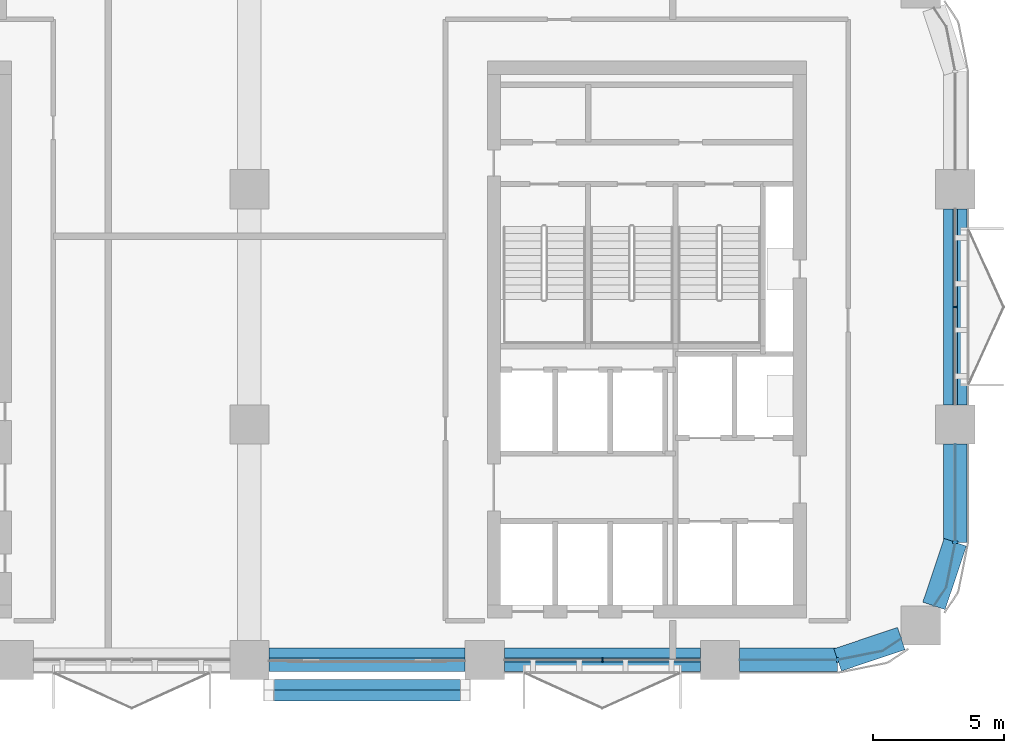
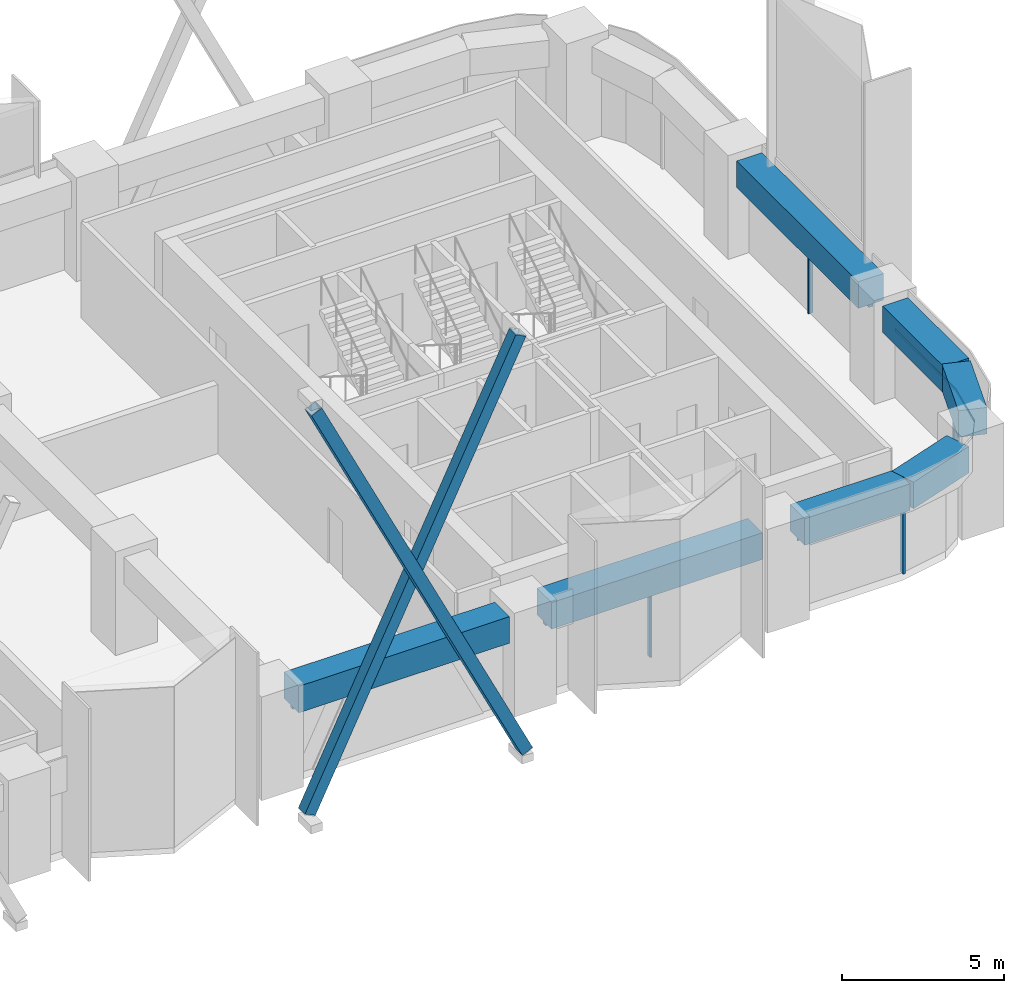
# One storey, part 5 of 14: 11 members, 7 beams, 5 elements without a shape of their own.
"""IFC4 building model written with IfcOpenShell, lengths in metres."""

from ifc_helpers import new_model, si_unit, direction, frame, origin, origin_2d, place, context, subcontext, project, spatial, polyline, rectangle, hollow_rectangle, outline, extrude, material, material_profile, profile_set, type_object, element, aggregate, save


model = new_model("IFC4")

# Units and contexts
model_context = context("Model", 3, precision=1e-05, world=origin(), true_north=direction((0.0, 1.0)))
body_context = subcontext(model_context, "Body", "Model", "MODEL_VIEW")
ifc_project = project(units=[si_unit("LENGTHUNIT", "METRE"), si_unit("AREAUNIT", "SQUARE_METRE"), si_unit("VOLUMEUNIT", "CUBIC_METRE"), si_unit("PLANEANGLEUNIT", "RADIAN"), si_unit("MASSUNIT", "GRAM", prefix="KILO")], contexts=[model_context])

# Site, building, storey
site_placement = place(None, origin())
site = spatial("IfcSite", under=ifc_project, at=site_placement, CompositionType="ELEMENT")
building_placement = place(site_placement, origin())
building = spatial("IfcBuilding", under=site, at=building_placement, Name="Tessera Arch", CompositionType="ELEMENT")
storey_placement = place(building_placement, frame((0.0, 0.0, 181.699951171875)))
storey = spatial("IfcBuildingStorey", under=building, at=storey_placement, Name="L43", CompositionType="ELEMENT", Elevation=181.699951171875)

# Members
ifc_material_1 = material(Name="Steel A500 Gr C", Category="steel")
ifc_material_profile_1 = material_profile(ifc_material_1, hollow_rectangle(XDim=0.406494140625, YDim=0.406494140625, WallThickness=0.0146484375, at=origin_2d()), Name="HSS16x16x5/8")
ifc_profile_set_1 = profile_set([ifc_material_profile_1], Name="Steel A500 Gr C")
member_type_1 = type_object("IfcMemberType", Name="Brace HSS16x16x5/8 Steel A500 Gr C", PredefinedType="BRACE", material=ifc_profile_set_1)
for number, where, z_axis, x_axis, name in (
    (1, (27.75, 26.046875, -0.800048828125), (0.437845074659, 0.0, 0.899050438294), (0.0, 1.0, 0.0), "Brace S27.0-3 A L43-L46"),
    (2, (35.25, 25.640380859375, -0.800048828125), (-0.437845074659, 0.0, 0.899050438294), (0.0, -1.0, 0.0), "Brace S27.0-3 B L43-L46"),
):
    element("IfcMember", number, at=place(storey_placement, frame(where, z_axis=z_axis, x_axis=x_axis)), inside=storey, type_object=member_type_1, Name=name, PredefinedType="BRACE", context=body_context, shape_type="SweptSolid", body=[
        extrude(hollow_rectangle(XDim=0.406494140625, YDim=0.406494140625, WallThickness=0.0146484375, at=origin_2d()), origin(), (0.0, 0.0, 1.0), 17.12939453125),
    ])

# Curtain wall, member
ifc_material_2 = material(Name="CW1 curtain wall")
curtain_wall_type_1 = type_object("IfcCurtainWallType", Name="CW1 curtain wall", PredefinedType="NOTDEFINED", material=ifc_material_2)
curtain_wall_1_placement = place(storey_placement, origin())
curtain_wall_1 = element("IfcCurtainWall", 3, at=curtain_wall_1_placement, inside=storey, type_object=curtain_wall_type_1, Name="CW1 curtain wall E54.27/0 L43", PredefinedType="NOTDEFINED")
ifc_material_3 = material(Name="Anodised aluminium pale metal", Category="aluminium")
ifc_material_profile_2 = material_profile(ifc_material_3, rectangle(XDim=0.159912109375, YDim=0.06005859375, at=origin_2d()), Name="AL 60x160")
ifc_profile_set_2 = profile_set([ifc_material_profile_2], Name="Anodised aluminium pale metal")
member_type_2 = type_object("IfcMemberType", Name="CW1 mullion", PredefinedType="MULLION", material=ifc_profile_set_2)
member_1_placement = place(storey_placement, frame((54.0, 40.5, 0.0), z_axis=(0.0, 0.0, 1.0), x_axis=(-1.0, 0.0, 0.0)))
member_1 = element("IfcMember", 4, at=member_1_placement, type_object=member_type_2, Name="CW1 mullion E54.27/0 1", PredefinedType="MULLION", context=body_context, shape_type="SweptSolid", body=[
    extrude(rectangle(XDim=0.159912109375, YDim=0.06005859375, at=origin_2d()), origin(), (0.0, 0.0, 1.0), 2.5),
])

curtain_wall_2_placement = place(storey_placement, origin())
curtain_wall_2 = element("IfcCurtainWall", 5, at=curtain_wall_2_placement, inside=storey, type_object=curtain_wall_type_1, Name="CW1 curtain wall S27.0/4 L43", PredefinedType="NOTDEFINED")
member_2_placement = place(storey_placement, frame((40.5, 27.0, 0.0), z_axis=(0.0, 0.0, 1.0), x_axis=(0.0, 1.0, 0.0)))
member_2 = element("IfcMember", 6, at=member_2_placement, type_object=member_type_2, Name="CW1 mullion S27.0/4 1", PredefinedType="MULLION", context=body_context, shape_type="SweptSolid", body=[
    extrude(rectangle(XDim=0.159912109375, YDim=0.06005859375, at=origin_2d()), origin(), (0.0, 0.0, 1.0), 2.5),
])

# Member
ifc_material_4 = material(Name="Anodised aluminium pale metal", Category="aluminium")
ifc_material_profile_3 = material_profile(ifc_material_4, rectangle(XDim=0.159912109375, YDim=0.10009765625, at=origin_2d()), Name="AL 160x100")
ifc_profile_set_3 = profile_set([ifc_material_profile_3], Name="Anodised aluminium pale metal")
member_type_3 = type_object("IfcMemberType", Name="CW1 transom", PredefinedType="USERDEFINED", material=ifc_profile_set_3)
member_3_placement = place(storey_placement, frame((54.0, 36.75, 2.550048828125), z_axis=(0.0, 1.0, 0.0), x_axis=(-1.0, 0.0, 0.0)))
member_3 = element("IfcMember", 7, at=member_3_placement, type_object=member_type_3, Name="CW1 transom E54.27/0 1.1", ObjectType="TRANSOM", PredefinedType="USERDEFINED", context=body_context, shape_type="SweptSolid", body=[
    extrude(rectangle(XDim=0.159912109375, YDim=0.10009765625, at=origin_2d()), origin(), (0.0, 0.0, 1.0), 7.5),
])

aggregate(curtain_wall_1, [member_1, member_3])

member_4_placement = place(storey_placement, frame((36.75, 27.0, 2.550048828125), z_axis=(1.0, 0.0, 0.0), x_axis=(0.0, 1.0, 0.0)))
member_4 = element("IfcMember", 8, at=member_4_placement, type_object=member_type_3, Name="CW1 transom S27.0/4 1.1", ObjectType="TRANSOM", PredefinedType="USERDEFINED", context=body_context, shape_type="SweptSolid", body=[
    extrude(rectangle(XDim=0.159912109375, YDim=0.10009765625, at=origin_2d()), origin(), (0.0, 0.0, 1.0), 7.5),
])

aggregate(curtain_wall_2, [member_2, member_4])

# Curtain wall, member
ifc_material_5 = material(Name="CW2 curtain wall")
curtain_wall_type_2 = type_object("IfcCurtainWallType", Name="CW2 curtain wall", PredefinedType="NOTDEFINED", material=ifc_material_5)
curtain_wall_3_placement = place(storey_placement, origin())
curtain_wall_3 = element("IfcCurtainWall", 9, at=curtain_wall_3_placement, inside=storey, type_object=curtain_wall_type_2, Name="CW2 curtain wall S27.0/5 L43", PredefinedType="NOTDEFINED")
ifc_material_6 = material(Name="Anodised aluminium pale metal", Category="aluminium")
ifc_material_profile_4 = material_profile(ifc_material_6, rectangle(XDim=0.199951171875, YDim=0.080078125, at=origin_2d()), Name="AL 80x200")
ifc_profile_set_4 = profile_set([ifc_material_profile_4], Name="Anodised aluminium pale metal")
member_type_4 = type_object("IfcMemberType", Name="CW2 mullion", PredefinedType="MULLION", material=ifc_profile_set_4)
member_5_placement = place(storey_placement, frame((49.5, 27.0, 0.0), z_axis=(0.0, 0.0, 1.0), x_axis=(0.0, 1.0, 0.0)))
member_5 = element("IfcMember", 10, at=member_5_placement, type_object=member_type_4, Name="CW2 mullion S27.0/5 1", PredefinedType="MULLION", context=body_context, shape_type="SweptSolid", body=[
    extrude(rectangle(XDim=0.199951171875, YDim=0.080078125, at=origin_2d()), origin(), (0.0, 0.0, 1.0), 2.5),
])

curtain_wall_4_placement = place(storey_placement, origin())
curtain_wall_4 = element("IfcCurtainWall", 11, at=curtain_wall_4_placement, inside=storey, type_object=curtain_wall_type_2, Name="CW2 curtain wall E54.27/2 L43", PredefinedType="NOTDEFINED")
member_6_placement = place(storey_placement, frame((54.0, 31.5, 0.0), z_axis=(0.0, 0.0, 1.0), x_axis=(-1.0, 0.0, 0.0)))
member_6 = element("IfcMember", 12, at=member_6_placement, type_object=member_type_4, Name="CW2 mullion E54.27/2 1", PredefinedType="MULLION", context=body_context, shape_type="SweptSolid", body=[
    extrude(rectangle(XDim=0.199951171875, YDim=0.080078125, at=origin_2d()), origin(), (0.0, 0.0, 1.0), 2.5),
])

# Member
ifc_material_7 = material(Name="Anodised aluminium pale metal", Category="aluminium")
ifc_material_profile_5 = material_profile(ifc_material_7, rectangle(XDim=0.199951171875, YDim=0.10009765625, at=origin_2d()), Name="AL 200x100")
ifc_profile_set_5 = profile_set([ifc_material_profile_5], Name="Anodised aluminium pale metal")
member_type_5 = type_object("IfcMemberType", Name="CW2 transom", PredefinedType="USERDEFINED", material=ifc_profile_set_5)
member_7_placement = place(storey_placement, frame((0.0, 0.0, 2.5)))
member_7 = element("IfcMember", 13, at=member_7_placement, type_object=member_type_5, Name="CW2 transom S27.0/5 1", ObjectType="TRANSOM", PredefinedType="USERDEFINED", context=body_context, shape_type="SweptSolid", body=[
    extrude(outline(polyline([(49.4990234375, 27.010009765625), (45.75, 27.010009765625), (45.75, 26.989990234375), (49.5009765625, 26.989990234375), (51.22607421875, 27.3330078125), (51.9375, 27.80859375), (51.926513671875, 27.8251953125), (51.21826171875, 27.351806640625), (49.4990234375, 27.010009765625)])), origin(), (0.0, 0.0, 1.0), 0.10009765625),
])

aggregate(curtain_wall_3, [member_5, member_7])

member_8_placement = place(storey_placement, frame((0.0, 0.0, 2.5)))
member_8 = element("IfcMember", 14, at=member_8_placement, type_object=member_type_5, Name="CW2 transom E54.27/2 1", ObjectType="TRANSOM", PredefinedType="USERDEFINED", context=body_context, shape_type="SweptSolid", body=[
    extrude(outline(polyline([(53.648193359375, 29.78173828125), (53.1748046875, 29.073486328125), (53.19140625, 29.0625), (53.6669921875, 29.77392578125), (54.010009765625, 31.4990234375), (54.010009765625, 35.25), (53.989990234375, 35.25), (53.989990234375, 31.5009765625), (53.648193359375, 29.78173828125)])), origin(), (0.0, 0.0, 1.0), 0.10009765625),
])

aggregate(curtain_wall_4, [member_6, member_8])

# Curtain wall, member
ifc_material_8 = material(Name="CW3 curtain wall")
curtain_wall_type_3 = type_object("IfcCurtainWallType", Name="CW3 curtain wall", PredefinedType="NOTDEFINED", material=ifc_material_8)
curtain_wall_5_placement = place(storey_placement, origin())
curtain_wall_5 = element("IfcCurtainWall", 15, at=curtain_wall_5_placement, inside=storey, type_object=curtain_wall_type_3, Name="CW3 curtain wall S27.0/3 L43", PredefinedType="NOTDEFINED")
ifc_material_9 = material(Name="Anodised aluminium pale metal", Category="aluminium")
ifc_material_profile_6 = material_profile(ifc_material_9, rectangle(XDim=0.139892578125, YDim=0.10009765625, at=origin_2d()), Name="AL 140x100")
ifc_profile_set_6 = profile_set([ifc_material_profile_6], Name="Anodised aluminium pale metal")
member_type_6 = type_object("IfcMemberType", Name="CW3 transom", PredefinedType="USERDEFINED", material=ifc_profile_set_6)
member_9_placement = place(storey_placement, frame((27.75, 27.0, 2.550048828125), z_axis=(1.0, 0.0, 0.0), x_axis=(0.0, 1.0, 0.0)))
member_9 = element("IfcMember", 16, at=member_9_placement, type_object=member_type_6, Name="CW3 transom S27.0/3 1.1", ObjectType="TRANSOM", PredefinedType="USERDEFINED", context=body_context, shape_type="SweptSolid", body=[
    extrude(rectangle(XDim=0.139892578125, YDim=0.10009765625, at=origin_2d()), origin(), (0.0, 0.0, 1.0), 7.5),
])
aggregate(curtain_wall_5, [member_9])

# Beams
ifc_material_10 = material(Name="Concrete C70/85", Category="concrete")
ifc_material_profile_7 = material_profile(ifc_material_10, rectangle(XDim=0.89990234375, YDim=1.0, at=origin_2d()), Name="RC spandrel beam 900 x 1000 Concrete C70/85")
ifc_profile_set_7 = profile_set([ifc_material_profile_7], Name="Concrete C70/85")
beam_type = type_object("IfcBeamType", Name="RC spandrel beam 900 x 1000 Concrete C70/85", PredefinedType="BEAM", material=ifc_profile_set_7)
for number, where, z_axis, x_axis, name in (
    (17, (54.0, 36.75, 3.10009765625), (0.0, 1.0, 0.0), (-1.0, 0.0, 0.0), "Spandrel beam L43 E54.27/0"),
    (18, (27.75, 27.0, 3.10009765625), (1.0, 0.0, 0.0), (0.0, 1.0, 0.0), "Spandrel beam L43 S27.0/3"),
    (19, (36.75, 27.0, 3.10009765625), (1.0, 0.0, 0.0), (0.0, 1.0, 0.0), "Spandrel beam L43 S27.0/4"),
):
    element("IfcBeam", number, at=place(storey_placement, frame(where, z_axis=z_axis, x_axis=x_axis)), inside=storey, type_object=beam_type, Name=name, PredefinedType="BEAM", context=body_context, shape_type="SweptSolid", body=[
        extrude(rectangle(XDim=0.89990234375, YDim=1.0, at=origin_2d()), origin(), (0.0, 0.0, 1.0), 7.5),
    ])
beam_1_placement = place(storey_placement, frame((45.75, 27.0, 3.10009765625), z_axis=(1.0, 0.0, 0.0), x_axis=(0.0, 1.0, 0.0)))
element("IfcBeam", 20, at=beam_1_placement, inside=storey, type_object=beam_type, Name="Spandrel beam L43 S27.0/5.1", PredefinedType="BEAM", context=body_context, shape_type="SweptSolid", body=[
    extrude(rectangle(XDim=0.89990234375, YDim=1.0, at=origin_2d()), origin(), (0.0, 0.0, 1.0), 3.75),
])
for number, where, z_axis, x_axis, name in (
    (21, (49.5, 27.0, 3.10009765625), (0.947947973234, 0.31842525032, 0.0), (-0.31842525032, 0.947947973234, 0.0), "Spandrel beam L43 S27.0/5.2"),
    (22, (53.18310546875, 29.068115234375, 3.10009765625), (0.31842525032, 0.947947973234, 0.0), (-0.947947973234, 0.31842525032, 0.0), "Spandrel beam L43 E54.27/2.1"),
):
    element("IfcBeam", number, at=place(storey_placement, frame(where, z_axis=z_axis, x_axis=x_axis)), inside=storey, type_object=beam_type, Name=name, PredefinedType="BEAM", context=body_context, shape_type="SweptSolid", body=[
        extrude(rectangle(XDim=0.89990234375, YDim=1.0, at=origin_2d()), origin(), (0.0, 0.0, 1.0), 2.5654296875),
    ])
beam_2_placement = place(storey_placement, frame((54.0, 31.5, 3.10009765625), z_axis=(0.0, 1.0, 0.0), x_axis=(-1.0, 0.0, 0.0)))
element("IfcBeam", 23, at=beam_2_placement, inside=storey, type_object=beam_type, Name="Spandrel beam L43 E54.27/2.2", PredefinedType="BEAM", context=body_context, shape_type="SweptSolid", body=[
    extrude(rectangle(XDim=0.89990234375, YDim=1.0, at=origin_2d()), origin(), (0.0, 0.0, 1.0), 3.75),
])

save(model, "model.ifc")
